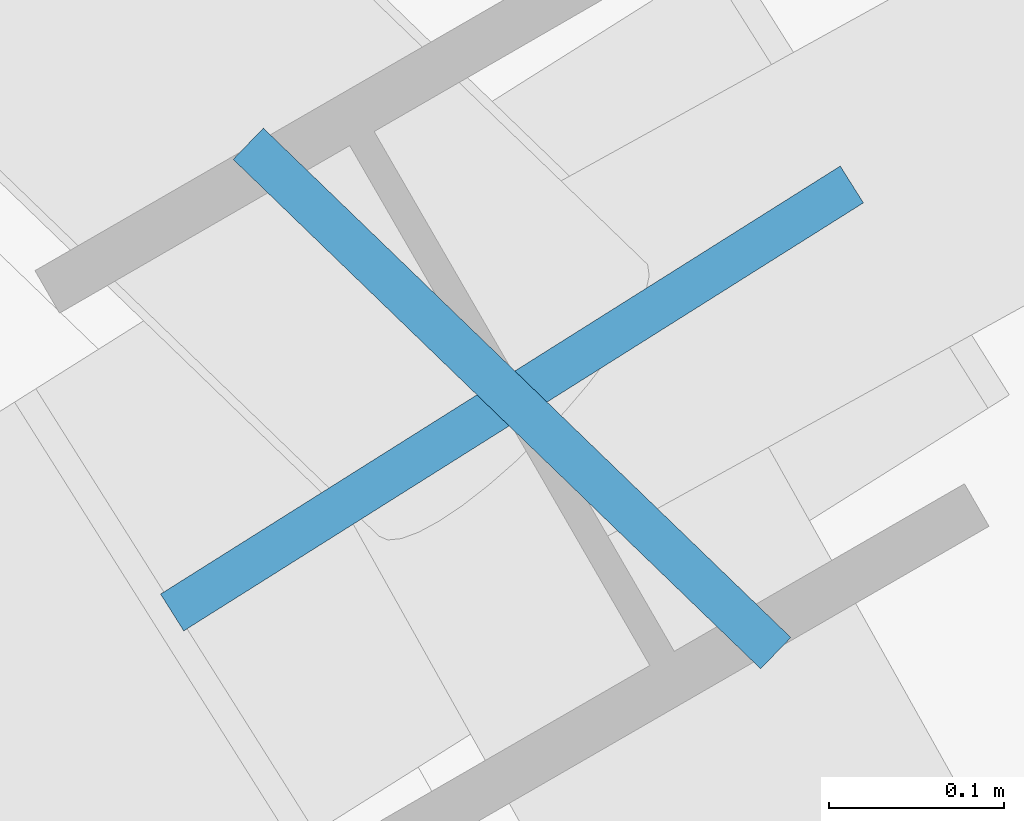
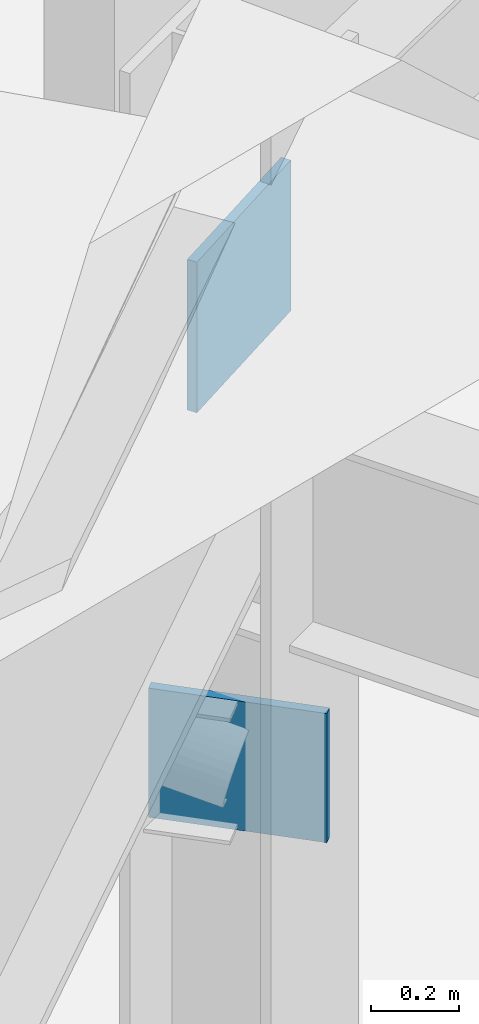
# One storey, part 31 of 63: 2 plates.
"""IFC4 building model written with IfcOpenShell, lengths in metres."""

from ifc_helpers import new_model, si_unit, direction, frame, origin, origin_2d, place, context, subcontext, project, spatial, rectangle, extrude, material, layer, layer_set, type_object, element, save


model = new_model("IFC4")

# Units and contexts
model_context = context("Model", 3, precision=1e-05, world=origin(), true_north=direction((0.0, 1.0)))
body_context = subcontext(model_context, "Body", "Model", "MODEL_VIEW")
ifc_project = project(units=[si_unit("LENGTHUNIT", "METRE"), si_unit("AREAUNIT", "SQUARE_METRE"), si_unit("VOLUMEUNIT", "CUBIC_METRE"), si_unit("PLANEANGLEUNIT", "RADIAN"), si_unit("MASSUNIT", "GRAM", prefix="KILO")], contexts=[model_context])

# Site, building, storey
site_placement = place(None, origin())
site = spatial("IfcSite", under=ifc_project, at=site_placement, CompositionType="ELEMENT")
building_placement = place(site_placement, origin())
building = spatial("IfcBuilding", under=site, at=building_placement, Name="Kalgoora Escarpment Arena", CompositionType="ELEMENT")
storey_placement = place(building_placement, frame((0.0, 0.0, 14.39990234375)))
storey = spatial("IfcBuildingStorey", under=building, at=storey_placement, Name="L03", CompositionType="ELEMENT", Elevation=14.39990234375)

# Plates
ifc_material = material(Name="Structural steel Grade 350 (350 MPa)", Category="steel")
ifc_layer = layer(ifc_material, 0.02490234375)
ifc_layer_set = layer_set([ifc_layer], Name="PLT-GUSSET-25")
plate_type = type_object("IfcPlateType", Name="PLT-GUSSET-25", PredefinedType="USERDEFINED", material=ifc_layer_set)
plate_1_placement = place(storey_placement, frame((139.165283203125, 84.0, 3.64013671875), z_axis=(0.0, 0.0, 1.0), x_axis=(0.846193166128, 0.532876276071, 0.0)))
element("IfcPlate", 1, at=plate_1_placement, inside=storey, type_object=plate_type, Name="Upper bowl raker wall embedment plate R03", ObjectType="FLANGE PLATE", PredefinedType="USERDEFINED", context=body_context, shape_type="SweptSolid", body=[
    extrude(rectangle(XDim=0.4599609375, YDim=0.02490234375, at=origin_2d()), origin(), (0.0, 0.0, 1.0), 0.419921875),
])
plate_2_placement = place(storey_placement, frame((139.165283203125, 84.0, 2.33984375), z_axis=(0.0, 0.0, 1.0), x_axis=(-0.719339800339, 0.694658370459, 0.0)))
element("IfcPlate", 2, at=plate_2_placement, inside=storey, type_object=plate_type, Name="Brace and post end gusset plate 025", ObjectType="FLANGE PLATE", PredefinedType="USERDEFINED", context=body_context, shape_type="SweptSolid", body=[
    extrude(rectangle(XDim=0.419921875, YDim=0.02490234375, at=origin_2d()), origin(), (0.0, 0.0, 1.0), 0.360107421875),
])

save(model, "model.ifc")
